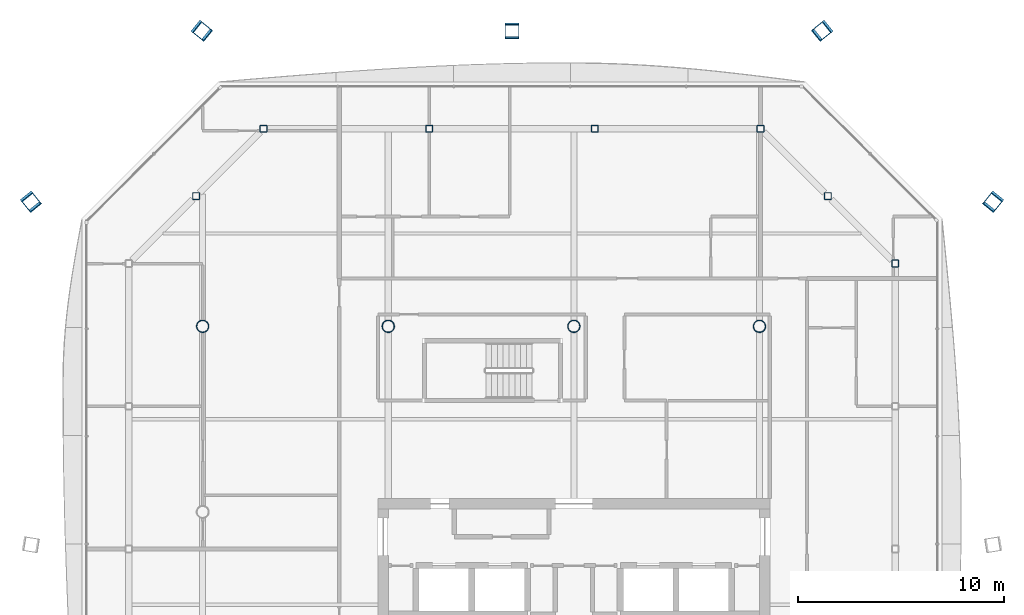
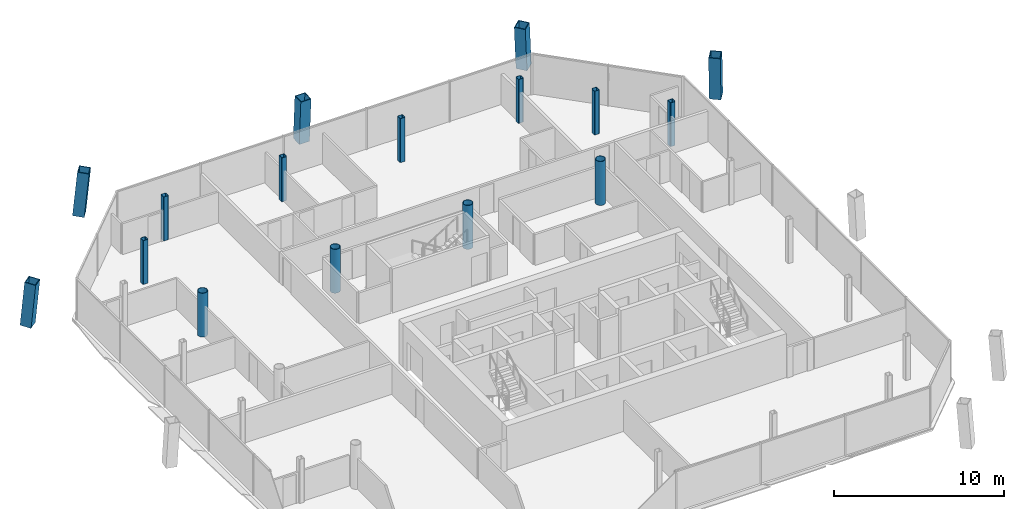
# One storey, part 3 of 20: 16 columns.
"""IFC4 building model written with IfcOpenShell, lengths in metres."""

from ifc_helpers import new_model, si_unit, direction, frame, origin, origin_2d, place, context, subcontext, project, spatial, hollow_rectangle, hollow_circle, extrude, material, material_profile, profile_set, type_object, element, save


model = new_model("IFC4")

# Units and contexts
model_context = context("Model", 3, precision=1e-05, world=origin(), true_north=direction((0.0, 1.0)))
body_context = subcontext(model_context, "Body", "Model", "MODEL_VIEW")
ifc_project = project(units=[si_unit("LENGTHUNIT", "METRE"), si_unit("AREAUNIT", "SQUARE_METRE"), si_unit("VOLUMEUNIT", "CUBIC_METRE"), si_unit("PLANEANGLEUNIT", "RADIAN"), si_unit("MASSUNIT", "GRAM", prefix="KILO")], contexts=[model_context])

# Site, building, storey
site_placement = place(None, origin())
site = spatial("IfcSite", under=ifc_project, at=site_placement, CompositionType="ELEMENT")
building_placement = place(site_placement, origin())
building = spatial("IfcBuilding", under=site, at=building_placement, Name="Tskaro Facet Tower", CompositionType="ELEMENT")
storey_placement = place(building_placement, frame((0.0, 0.0, 187.949951171875)))
storey = spatial("IfcBuildingStorey", under=building, at=storey_placement, Name="L47", CompositionType="ELEMENT", Elevation=187.949951171875)

# Columns
ifc_material_1 = material(Name="Steel S460M", Category="steel")
ifc_material_profile_1 = material_profile(ifc_material_1, hollow_rectangle(XDim=0.699951171875, YDim=0.699951171875, WallThickness=0.044921875, at=origin_2d()), Name="BOX 700x700x45")
ifc_profile_set_1 = profile_set([ifc_material_profile_1], Name="Steel S460M")
column_type_1 = type_object("IfcColumnType", Name="BOX 700x700x45 mega column", PredefinedType="COLUMN", material=ifc_profile_set_1)
for number, where, z_axis, x_axis, name in (
    (1, (20.363037109375, 15.0830078125, 0.0), (-0.057572046498, -0.07146342501, 0.995780316309), (0.778731084135, -0.627357871236, 0.0), "BOX 700x700x45 MC06/4"),
    (2, (12.0830078125, 23.363037109375, 0.0), (-0.07146342501, -0.057572046498, 0.995780316309), (0.627357871236, -0.778731084135, 0.0), "BOX 700x700x45 MC07/4"),
):
    element("IfcColumn", number, at=place(storey_placement, frame(where, z_axis=z_axis, x_axis=x_axis)), inside=storey, type_object=column_type_1, Name=name, PredefinedType="COLUMN", context=body_context, shape_type="SweptSolid", body=[
        extrude(hollow_rectangle(XDim=0.699951171875, YDim=0.699951171875, WallThickness=0.044921875, at=origin_2d()), origin(), (0.0, 0.0, 1.0), 3.16357421875),
    ])
column_placement = place(storey_placement, frame((-3.0, 23.363037109375, 0.0), z_axis=(0.0, -0.057719622824, 0.998332832847), x_axis=(1.0, 0.0, 0.0)))
element("IfcColumn", 3, at=column_placement, inside=storey, type_object=column_type_1, Name="BOX 700x700x45 MC08/4", PredefinedType="COLUMN", context=body_context, shape_type="SweptSolid", body=[
    extrude(hollow_rectangle(XDim=0.699951171875, YDim=0.699951171875, WallThickness=0.044921875, at=origin_2d()), origin(), (0.0, 0.0, 1.0), 3.155517578125),
])
for number, where, z_axis, x_axis, name in (
    (4, (-18.0830078125, 23.363037109375, 0.0), (0.07146342501, -0.057572046498, 0.995780316309), (0.627357871236, 0.778731084135, 0.0), "BOX 700x700x45 MC09/4"),
    (5, (-26.363037109375, 15.0830078125, 0.0), (0.057572046498, -0.07146342501, 0.995780316309), (0.778731084135, 0.627357871236, 0.0), "BOX 700x700x45 MC10/4"),
):
    element("IfcColumn", number, at=place(storey_placement, frame(where, z_axis=z_axis, x_axis=x_axis)), inside=storey, type_object=column_type_1, Name=name, PredefinedType="COLUMN", context=body_context, shape_type="SweptSolid", body=[
        extrude(hollow_rectangle(XDim=0.699951171875, YDim=0.699951171875, WallThickness=0.044921875, at=origin_2d()), origin(), (0.0, 0.0, 1.0), 3.16357421875),
    ])
ifc_material_2 = material(Name="Steel S355J2H", Category="steel")
ifc_material_profile_2 = material_profile(ifc_material_2, hollow_circle(Radius=0.304931640625, WallThickness=0.030029296875, at=origin_2d()), Name="CHS 610x30")
ifc_profile_set_2 = profile_set([ifc_material_profile_2], Name="Steel S355J2H")
column_type_2 = type_object("IfcColumnType", Name="CHS 610x30 interior column", PredefinedType="COLUMN", material=ifc_profile_set_2)
for number, where, z_axis, x_axis, name in (
    (6, (-18.0, 9.0, 0.0), (0.0, 0.0, 1.0), (1.0, 0.0, 0.0), "CHS 610x30 C2E/4"),
    (7, (-9.0, 9.0, 0.0), (0.0, 0.0, 1.0), (1.0, 0.0, 0.0), "CHS 610x30 C3E/4"),
    (8, (0.0, 9.0, 0.0), (0.0, 0.0, 1.0), (1.0, 0.0, 0.0), "CHS 610x30 C4E/4"),
    (9, (9.0, 9.0, 0.0), (0.0, 0.0, 1.0), (1.0, 0.0, 0.0), "CHS 610x30 C5E/4"),
):
    element("IfcColumn", number, at=place(storey_placement, frame(where, z_axis=z_axis, x_axis=x_axis)), inside=storey, type_object=column_type_2, Name=name, PredefinedType="COLUMN", context=body_context, shape_type="SweptSolid", body=[
        extrude(hollow_circle(Radius=0.304931640625, WallThickness=0.030029296875, at=origin_2d()), origin(), (0.0, 0.0, 1.0), 3.150146484375),
    ])
ifc_material_profile_3 = material_profile(ifc_material_2, hollow_rectangle(XDim=0.35009765625, YDim=0.35009765625, WallThickness=0.02001953125, InnerFilletRadius=0.030029296875, OuterFilletRadius=0.050048828125, at=origin_2d()), Name="SHS 350x350x20")
ifc_profile_set_3 = profile_set([ifc_material_profile_3], Name="Steel S355J2H")
column_type_3 = type_object("IfcColumnType", Name="SHS 350x350x20 ring column", PredefinedType="COLUMN", material=ifc_profile_set_3)
for number, where, z_axis, x_axis, name in (
    (10, (15.5830078125, 12.0458984375, 0.0), (0.0, 0.0, 1.0), (1.0, 0.0, 0.0), "SHS 350x350x20 RNE-1/4"),
    (11, (12.31396484375, 15.31396484375, 0.0), (0.0, 0.0, 1.0), (1.0, 0.0, 0.0), "SHS 350x350x20 RNE-2/4"),
    (12, (9.0458984375, 18.5830078125, 0.0), (0.0, 0.0, 1.0), (1.0, 0.0, 0.0), "SHS 350x350x20 RN-1/4"),
    (13, (1.014892578125, 18.5830078125, 0.0), (0.0, 0.0, 1.0), (1.0, 0.0, 0.0), "SHS 350x350x20 RN-2/4"),
    (14, (-7.014892578125, 18.5830078125, 0.0), (0.0, 0.0, 1.0), (1.0, 0.0, 0.0), "SHS 350x350x20 RN-3/4"),
    (15, (-15.0458984375, 18.5830078125, 0.0), (0.0, 0.0, 1.0), (1.0, 0.0, 0.0), "SHS 350x350x20 RNW-1/4"),
    (16, (-18.31396484375, 15.31396484375, 0.0), (0.0, 0.0, 1.0), (1.0, 0.0, 0.0), "SHS 350x350x20 RNW-2/4"),
):
    element("IfcColumn", number, at=place(storey_placement, frame(where, z_axis=z_axis, x_axis=x_axis)), inside=storey, type_object=column_type_3, Name=name, PredefinedType="COLUMN", context=body_context, shape_type="SweptSolid", body=[
        extrude(hollow_rectangle(XDim=0.35009765625, YDim=0.35009765625, WallThickness=0.02001953125, InnerFilletRadius=0.030029296875, OuterFilletRadius=0.050048828125, at=origin_2d()), origin(), (0.0, 0.0, 1.0), 3.150146484375),
    ])

save(model, "model.ifc")
